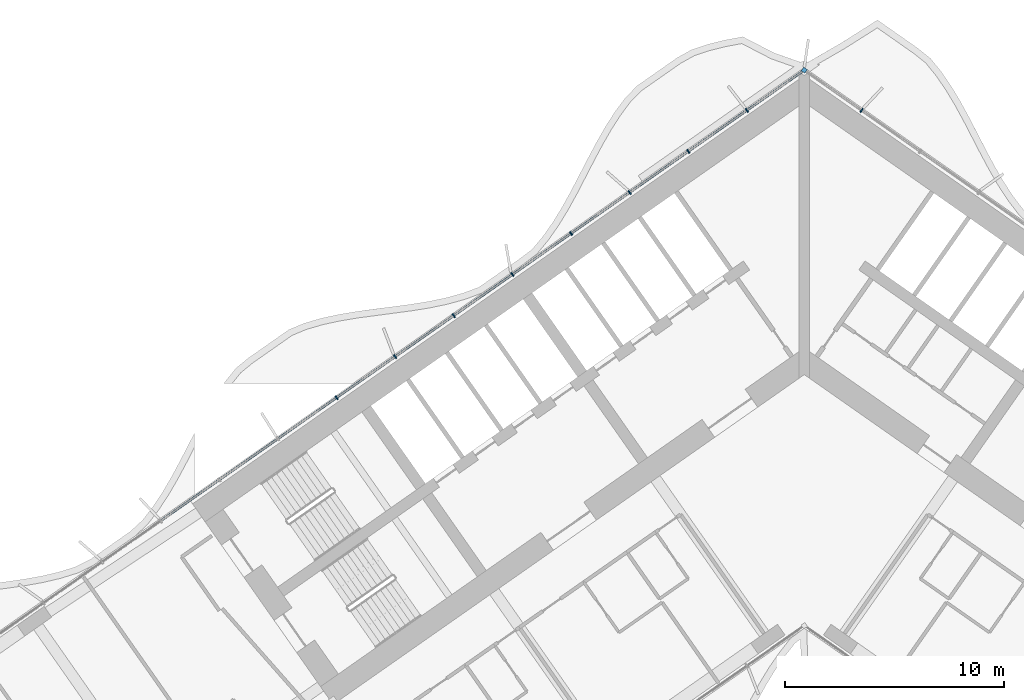
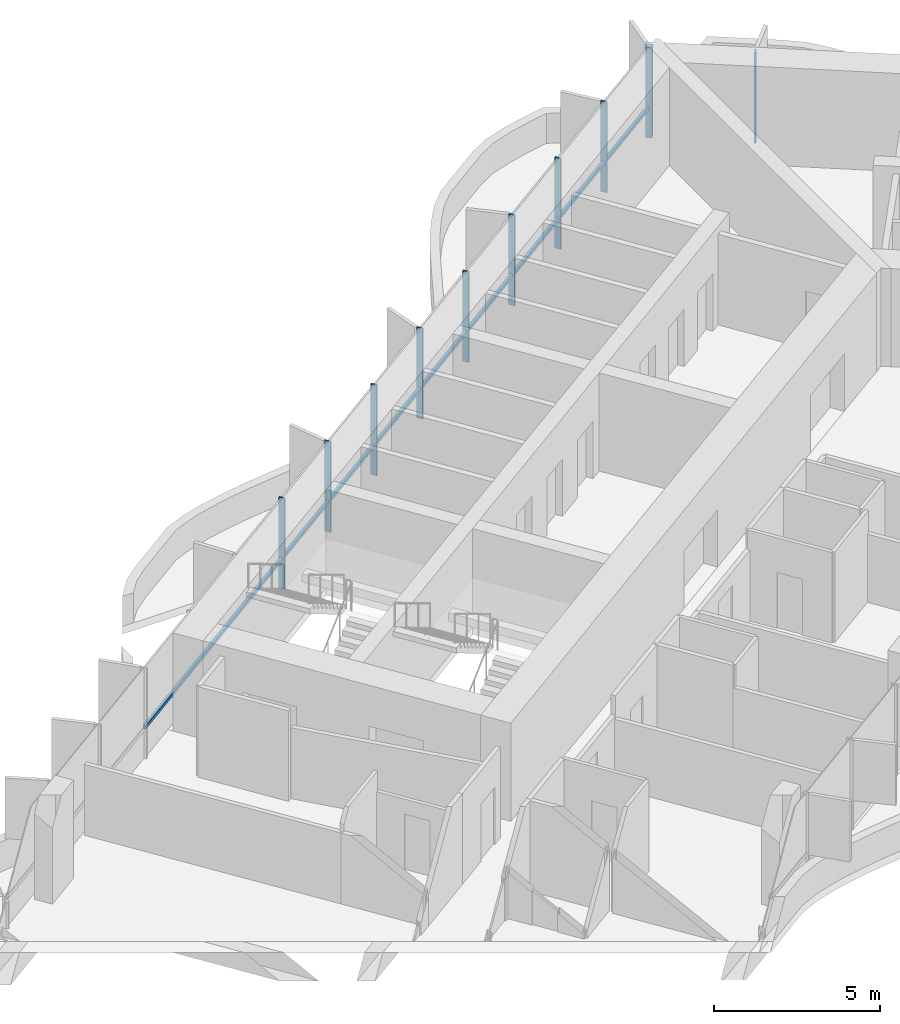
# One storey, part 7 of 25: 11 members, 1 element without a shape of its own.
"""IFC4 building model written with IfcOpenShell, lengths in metres."""

from ifc_helpers import new_model, si_unit, direction, frame, origin, origin_2d, place, context, subcontext, project, spatial, rectangle, extrude, material, material_profile, profile_set, type_object, element, aggregate, save


model = new_model("IFC4")

# Units and contexts
model_context = context("Model", 3, precision=1e-05, world=origin(), true_north=direction((0.0, 1.0)))
body_context = subcontext(model_context, "Body", "Model", "MODEL_VIEW")
ifc_project = project(units=[si_unit("LENGTHUNIT", "METRE"), si_unit("AREAUNIT", "SQUARE_METRE"), si_unit("VOLUMEUNIT", "CUBIC_METRE"), si_unit("PLANEANGLEUNIT", "RADIAN"), si_unit("MASSUNIT", "GRAM", prefix="KILO")], contexts=[model_context])

# Site, building, storey
site_placement = place(None, origin())
site = spatial("IfcSite", under=ifc_project, at=site_placement, CompositionType="ELEMENT")
building_placement = place(site_placement, origin())
building = spatial("IfcBuilding", under=site, at=building_placement, Name="Tel Ilan Convention Tower", CompositionType="ELEMENT")
storey_placement = place(building_placement, frame((0.0, 0.0, 58.10009765625)))
storey = spatial("IfcBuildingStorey", under=building, at=storey_placement, Name="L09", CompositionType="ELEMENT", Elevation=58.10009765625)

# Curtain wall, members
ifc_material_1 = material(Name="Aluminium, bronze anodised", Category="aluminium")
curtain_wall_type = type_object("IfcCurtainWallType", Name="CW2 STICK CURTAIN WALL, SPANDREL PANELS", PredefinedType="NOTDEFINED", material=ifc_material_1)
curtain_wall_placement = place(storey_placement, origin())
curtain_wall = element("IfcCurtainWall", 1, at=curtain_wall_placement, inside=storey, type_object=curtain_wall_type, Name="Curtain wall CW2-11.01", PredefinedType="NOTDEFINED")
ifc_material_2 = material(Name="Aluminium, bronze anodised", Category="aluminium")
ifc_material_profile_1 = material_profile(ifc_material_2, rectangle(XDim=0.199951171875, YDim=0.199951171875, at=origin_2d()), Name="CW CORNER MULLION 200x200")
ifc_profile_set_1 = profile_set([ifc_material_profile_1], Name="Aluminium, bronze anodised")
member_type_1 = type_object("IfcMemberType", Name="CW CORNER MULLION 200x200", PredefinedType="MULLION", material=ifc_profile_set_1)
member_1_placement = place(storey_placement, frame((0.0, 12.696044921875, 0.0), z_axis=(0.0, 0.0, 1.0), x_axis=(-0.819152044289, 0.573576436351, 0.0)))
member_1 = element("IfcMember", 2, at=member_1_placement, type_object=member_type_1, Name="Corner mullion", PredefinedType="MULLION", context=body_context, shape_type="SweptSolid", body=[
    extrude(rectangle(XDim=0.199951171875, YDim=0.199951171875, at=origin_2d()), origin(), (0.0, 0.0, 1.0), 3.31982421875),
])
ifc_material_3 = material(Name="Aluminium, bronze anodised", Category="aluminium")
ifc_material_profile_2 = material_profile(ifc_material_3, rectangle(XDim=0.06005859375, YDim=0.199951171875, at=origin_2d()), Name="CW MULLION 60x200")
ifc_profile_set_2 = profile_set([ifc_material_profile_2], Name="Aluminium, bronze anodised")
member_type_2 = type_object("IfcMemberType", Name="CW MULLION 60x200", PredefinedType="MULLION", material=ifc_profile_set_2)
member_2_placement = place(storey_placement, frame((2.622802734375, 10.859375, 0.0), z_axis=(0.0, 0.0, 1.0), x_axis=(-0.819152044289, 0.573576436351, 0.0)))
member_2 = element("IfcMember", 3, at=member_2_placement, type_object=member_type_2, Name="Mullion", PredefinedType="MULLION", context=body_context, shape_type="SweptSolid", body=[
    extrude(rectangle(XDim=0.06005859375, YDim=0.199951171875, at=origin_2d()), origin(), (0.0, 0.0, 1.0), 3.31982421875),
])
member_3_placement = place(storey_placement, frame((-2.622802734375, 10.859375, 0.0), z_axis=(0.0, 0.0, 1.0), x_axis=(-0.819152044289, -0.573576436351, 0.0)))
member_3 = element("IfcMember", 4, at=member_3_placement, type_object=member_type_2, Name="Mullion", PredefinedType="MULLION", context=body_context, shape_type="SweptSolid", body=[
    extrude(rectangle(XDim=0.06005859375, YDim=0.199951171875, at=origin_2d()), origin(), (0.0, 0.0, 1.0), 3.31982421875),
])
member_4_placement = place(storey_placement, frame((-5.30322265625, 8.982666015625, 0.0), z_axis=(0.0, 0.0, 1.0), x_axis=(-0.819152044289, -0.573576436351, 0.0)))
member_4 = element("IfcMember", 5, at=member_4_placement, type_object=member_type_2, Name="Mullion", PredefinedType="MULLION", context=body_context, shape_type="SweptSolid", body=[
    extrude(rectangle(XDim=0.06005859375, YDim=0.199951171875, at=origin_2d()), origin(), (0.0, 0.0, 1.0), 3.31982421875),
])
member_5_placement = place(storey_placement, frame((-7.9833984375, 7.10595703125, 0.0), z_axis=(0.0, 0.0, 1.0), x_axis=(-0.819152044289, -0.573576436351, 0.0)))
member_5 = element("IfcMember", 6, at=member_5_placement, type_object=member_type_2, Name="Mullion", PredefinedType="MULLION", context=body_context, shape_type="SweptSolid", body=[
    extrude(rectangle(XDim=0.06005859375, YDim=0.199951171875, at=origin_2d()), origin(), (0.0, 0.0, 1.0), 3.31982421875),
])
member_6_placement = place(storey_placement, frame((-10.663818359375, 5.229248046875, 0.0), z_axis=(0.0, 0.0, 1.0), x_axis=(-0.819152044289, -0.573576436351, 0.0)))
member_6 = element("IfcMember", 7, at=member_6_placement, type_object=member_type_2, Name="Mullion", PredefinedType="MULLION", context=body_context, shape_type="SweptSolid", body=[
    extrude(rectangle(XDim=0.06005859375, YDim=0.199951171875, at=origin_2d()), origin(), (0.0, 0.0, 1.0), 3.31982421875),
])
member_7_placement = place(storey_placement, frame((-13.343994140625, 3.3525390625, 0.0), z_axis=(0.0, 0.0, 1.0), x_axis=(-0.819152044289, -0.573576436351, 0.0)))
member_7 = element("IfcMember", 8, at=member_7_placement, type_object=member_type_2, Name="Mullion", PredefinedType="MULLION", context=body_context, shape_type="SweptSolid", body=[
    extrude(rectangle(XDim=0.06005859375, YDim=0.199951171875, at=origin_2d()), origin(), (0.0, 0.0, 1.0), 3.31982421875),
])
member_8_placement = place(storey_placement, frame((-16.024169921875, 1.475830078125, 0.0), z_axis=(0.0, 0.0, 1.0), x_axis=(-0.819152044289, -0.573576436351, 0.0)))
member_8 = element("IfcMember", 9, at=member_8_placement, type_object=member_type_2, Name="Mullion", PredefinedType="MULLION", context=body_context, shape_type="SweptSolid", body=[
    extrude(rectangle(XDim=0.06005859375, YDim=0.199951171875, at=origin_2d()), origin(), (0.0, 0.0, 1.0), 3.31982421875),
])
member_9_placement = place(storey_placement, frame((-18.70458984375, -0.401123046875, 0.0), z_axis=(0.0, 0.0, 1.0), x_axis=(-0.819152044289, -0.573576436351, 0.0)))
member_9 = element("IfcMember", 10, at=member_9_placement, type_object=member_type_2, Name="Mullion", PredefinedType="MULLION", context=body_context, shape_type="SweptSolid", body=[
    extrude(rectangle(XDim=0.06005859375, YDim=0.199951171875, at=origin_2d()), origin(), (0.0, 0.0, 1.0), 3.31982421875),
])
member_10_placement = place(storey_placement, frame((-21.384765625, -2.27783203125, 0.0), z_axis=(0.0, 0.0, 1.0), x_axis=(-0.819152044289, -0.573576436351, 0.0)))
member_10 = element("IfcMember", 11, at=member_10_placement, type_object=member_type_2, Name="Mullion", PredefinedType="MULLION", context=body_context, shape_type="SweptSolid", body=[
    extrude(rectangle(XDim=0.06005859375, YDim=0.199951171875, at=origin_2d()), origin(), (0.0, 0.0, 1.0), 3.31982421875),
])
ifc_material_4 = material(Name="Aluminium, bronze anodised", Category="aluminium")
ifc_material_profile_3 = material_profile(ifc_material_4, rectangle(XDim=0.10009765625, YDim=0.1201171875, at=origin_2d()), Name="CW TRANSOM 100x120")
ifc_profile_set_3 = profile_set([ifc_material_profile_3], Name="Aluminium, bronze anodised")
member_type_3 = type_object("IfcMemberType", Name="CW TRANSOM 100x120", PredefinedType="USERDEFINED", material=ifc_profile_set_3)
member_11_placement = place(storey_placement, frame((-0.1064453125, 12.62158203125, 1.099853515625), z_axis=(-0.81915076999, -0.573578256234, 0.0), x_axis=(0.573578256234, -0.81915076999, 0.0)))
member_11 = element("IfcMember", 12, at=member_11_placement, type_object=member_type_3, Name="Transom", ObjectType="TRANSOM", PredefinedType="USERDEFINED", context=body_context, shape_type="SweptSolid", body=[
    extrude(rectangle(XDim=0.10009765625, YDim=0.1201171875, at=origin_2d()), origin(), (0.0, 0.0, 1.0), 35.76220703125),
])
aggregate(curtain_wall, [member_2, member_1, member_3, member_4, member_5, member_6, member_7, member_8, member_9, member_10, member_11])

save(model, "model.ifc")
